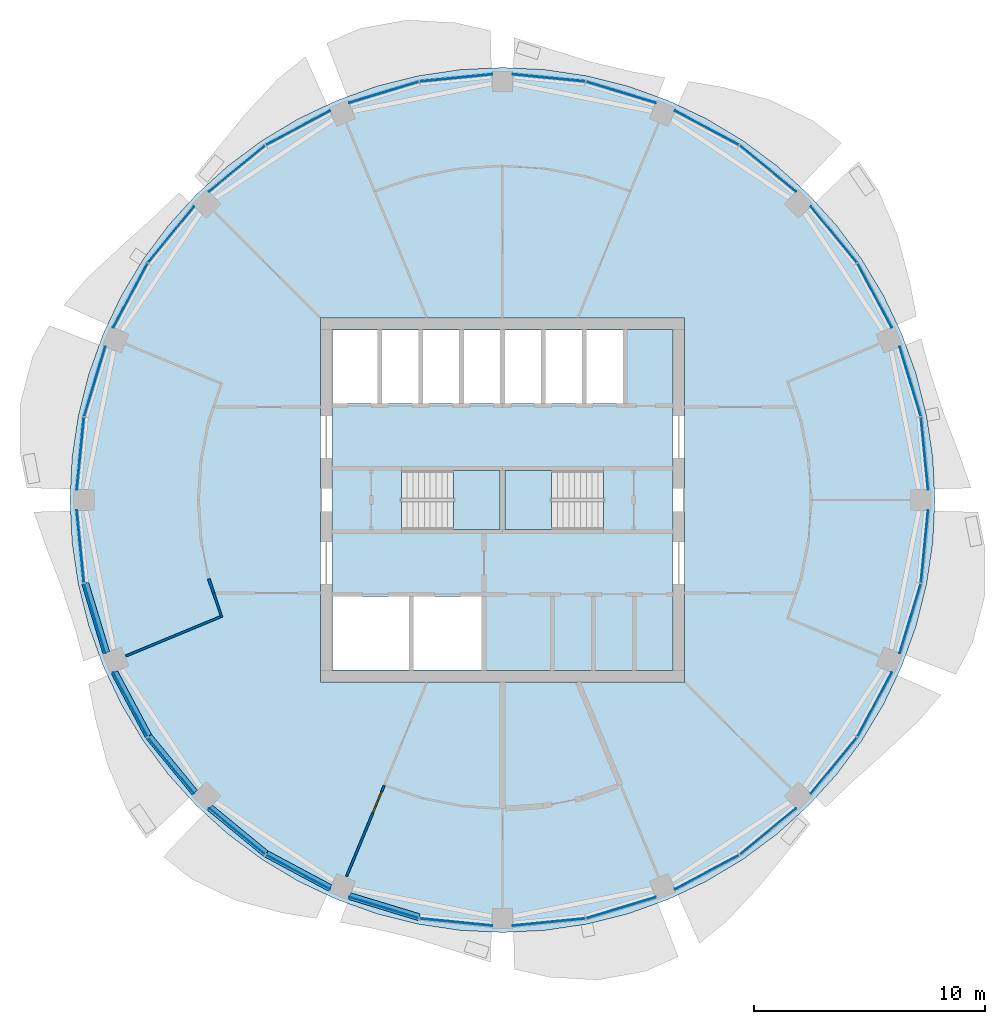
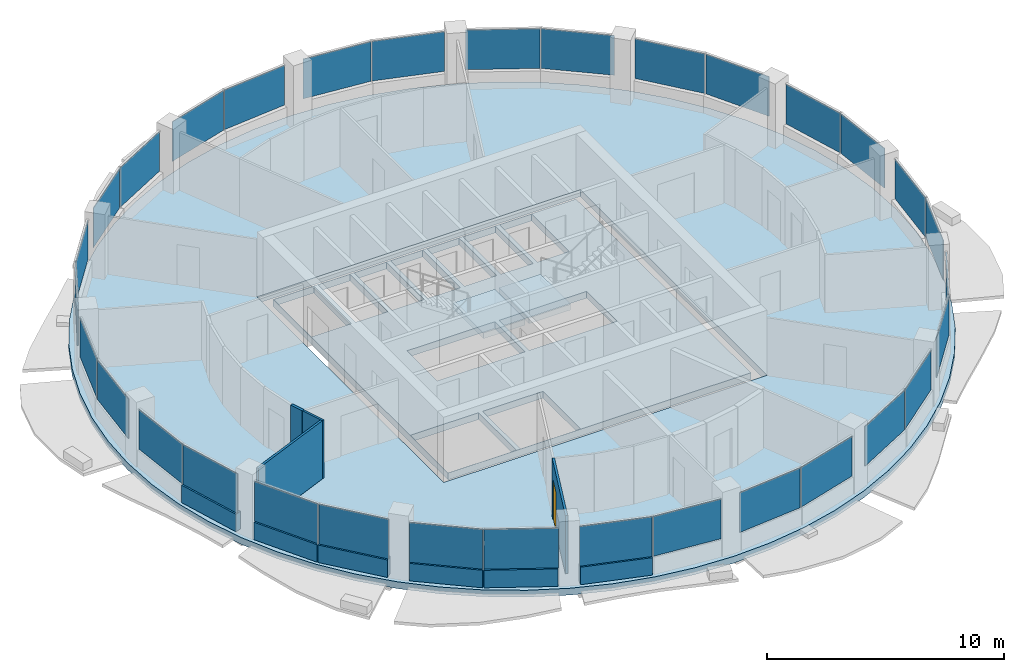
# One storey, part 7 of 15: 32 plates, 10 walls, 4 slabs, 1 door, 1 opening, 18 elements without a shape of their own.
"""IFC4 building model written with IfcOpenShell, lengths in metres."""

import ifcopenshell
import ifcopenshell.guid

model = None  # the IFC model being written
_history = None  # IfcOwnerHistory: only IFC2X3 demands one
_inside = {}  # id of a spatial element -> (the spatial element, [elements in it])
_under = {}  # id of a project, library or spatial element -> (it, [spatial elements below it])
_declared = {}  # id of a project -> (the project, [libraries it declares])
_typed = {}  # id of a type object -> (the type object, [elements of that type])
_made_of = {}  # id of a material, layer set ... -> (it, [elements and type objects made of it])


def new_model(schema):
    """Start an empty IFC model of exactly this schema.

    Asked for "IFC4X3", IfcOpenShell would pick the latest addendum, in which some entities
    have other attributes; the version numbers below select the first issue.
    IFC2X3 requires an IfcOwnerHistory on every rooted entity: one is made here for all.
    """
    global model, _history
    if schema == "IFC4X3":
        model = ifcopenshell.file(schema_version=(4, 3, 0, 0))
    else:
        model = ifcopenshell.file(schema=schema)
    _inside.clear()
    _under.clear()
    _declared.clear()
    _typed.clear()
    _made_of.clear()
    _history = None
    if model.schema == "IFC2X3":
        org = make("IfcOrganization", Name="unknown")
        user = make(
            "IfcPersonAndOrganization",
            ThePerson=make("IfcPerson", FamilyName="unknown"),
            TheOrganization=org,
        )
        app = make(
            "IfcApplication",
            ApplicationDeveloper=org,
            Version="unknown",
            ApplicationFullName="unknown",
            ApplicationIdentifier="unknown",
        )
        _history = make(
            "IfcOwnerHistory",
            OwningUser=user,
            OwningApplication=app,
            ChangeAction="ADDED",
            CreationDate=0,
        )
    return model


def make(cls, **values):
    """One entity of the class cls with the attributes given. An attribute that is None is left unset."""
    return model.create_entity(
        cls, **{name: value for name, value in values.items() if value is not None}
    )


def rooted(cls, **values):
    """An entity with a GlobalId (a new one), such as an element, a storey or a relation."""
    return make(cls, GlobalId=ifcopenshell.guid.new(), OwnerHistory=_history, **values)


def si_unit(unit_type, name, prefix=None):
    """IfcSIUnit, for example si_unit("LENGTHUNIT", "METRE", prefix="MILLI")."""
    return make("IfcSIUnit", UnitType=unit_type, Prefix=prefix, Name=name)


def assignment(units):
    """IfcUnitAssignment: the units of a project."""
    return None if units is None else make("IfcUnitAssignment", Units=units)


def point(xyz):
    """IfcCartesianPoint."""
    return None if xyz is None else make("IfcCartesianPoint", Coordinates=xyz)


def direction(xyz):
    """IfcDirection."""
    return None if xyz is None else make("IfcDirection", DirectionRatios=xyz)


def frame(location, z_axis=None, x_axis=None):
    """IfcAxis2Placement3D, a coordinate frame: its origin and axes. An axis left out is left unset."""
    return make(
        "IfcAxis2Placement3D",
        Location=point(location),
        Axis=direction(z_axis),
        RefDirection=direction(x_axis),
    )


def frame_2d(location, x_axis=None):
    """IfcAxis2Placement2D, a coordinate frame in the plane: its origin and x axis."""
    return make(
        "IfcAxis2Placement2D", Location=point(location), RefDirection=direction(x_axis)
    )


def origin():
    """The frame at (0, 0, 0) with its axes left unset."""
    return frame((0.0, 0.0, 0.0))


def origin_2d():
    """The frame at (0, 0) in the plane with its x axis left unset."""
    return frame_2d((0.0, 0.0))


def place(relative_to, where):
    """IfcLocalPlacement: puts the frame where relative to a parent placement (None: the world)."""
    return make(
        "IfcLocalPlacement", PlacementRelTo=relative_to, RelativePlacement=where
    )


def context(
    kind, dimensions, precision=None, world=None, true_north=None, identifier=None
):
    """IfcGeometricRepresentationContext, for example the 3D "Model" context."""
    return make(
        "IfcGeometricRepresentationContext",
        ContextIdentifier=identifier,
        ContextType=kind,
        CoordinateSpaceDimension=dimensions,
        Precision=precision,
        WorldCoordinateSystem=world,
        TrueNorth=true_north,
    )


def subcontext(parent, identifier, kind, view, scale=None):
    """IfcGeometricRepresentationSubContext, for example "Body" below "Model"."""
    return make(
        "IfcGeometricRepresentationSubContext",
        ContextIdentifier=identifier,
        ContextType=kind,
        ParentContext=parent,
        TargetScale=scale,
        TargetView=view,
    )


def project(units=None, contexts=None):
    """IfcProject with its units and contexts."""
    return rooted(
        "IfcProject",
        Name="project",
        RepresentationContexts=contexts,
        UnitsInContext=assignment(units),
    )


def spatial(cls, under=None, at=None, **own):
    """A site, building, storey or space (cls), placed at a placement, below another one or the project."""
    s = rooted(cls, ObjectPlacement=at, **own)
    if under is not None:
        _under.setdefault(under.id(), (under, []))[1].append(s)
    return s


def polyline(points):
    """IfcPolyline through the points."""
    return make("IfcPolyline", Points=[point(p) for p in points])


def profile(cls, at=None, kind="AREA", **sizes):
    """A parametric profile (cls). Its sizes go by their IFC names, for example OverallWidth=200.0."""
    return make(cls, ProfileType=kind, Position=at, **sizes)


def rectangle(**sizes):
    """IfcRectangleProfileDef."""
    return profile("IfcRectangleProfileDef", **sizes)


def outline(outer, holes=None, kind="AREA"):
    """IfcArbitraryClosedProfileDef: a profile drawn as a closed curve; with holes, ...WithVoids."""
    if holes is None:
        return make("IfcArbitraryClosedProfileDef", ProfileType=kind, OuterCurve=outer)
    return make(
        "IfcArbitraryProfileDefWithVoids",
        ProfileType=kind,
        OuterCurve=outer,
        InnerCurves=holes,
    )


def extrude(swept, where, along, depth):
    """IfcExtrudedAreaSolid: the profile swept, set in the frame where, extruded along a direction by depth."""
    return make(
        "IfcExtrudedAreaSolid",
        SweptArea=swept,
        Position=where,
        ExtrudedDirection=direction(along),
        Depth=depth,
    )


def shape(context_of_items, identifier, shape_type, items):
    """IfcShapeRepresentation: the items that make up one representation, for example the "Body"."""
    return make(
        "IfcShapeRepresentation",
        ContextOfItems=context_of_items,
        RepresentationIdentifier=identifier,
        RepresentationType=shape_type,
        Items=items,
    )


def material(Name=None, Category=None):
    """IfcMaterial."""
    return make("IfcMaterial", Name=Name, Category=Category)


def layer(
    of_material, thickness, ventilated=None, Name=None, Category=None, Priority=None
):
    """IfcMaterialLayer: one layer of a wall or slab, of a material (None: an air gap)."""
    return make(
        "IfcMaterialLayer",
        Material=of_material,
        LayerThickness=thickness,
        IsVentilated=ventilated,
        Name=Name,
        Category=Category,
        Priority=Priority,
    )


def layer_set(layers, Name=None):
    """IfcMaterialLayerSet."""
    return make("IfcMaterialLayerSet", MaterialLayers=layers, LayerSetName=Name)


def made_of(thing, what):
    """Note that an element or type object is made of a material, layer set ...; save() writes the relation."""
    if what is not None:
        _made_of.setdefault(what.id(), (what, []))[1].append(thing)
    return thing


def type_object(cls, material=None, **own):
    """A type object (cls), such as IfcWallType, which elements share."""
    return made_of(rooted(cls, **own), material)


def element(
    cls,
    number,
    at=None,
    inside=None,
    cuts=None,
    type_object=None,
    material=None,
    context=None,
    identifier="Body",
    shape_type=None,
    held_by="IfcProductDefinitionShape",
    body=None,
    shapes=None,
    **own,
):
    """One element of the class cls, such as IfcWall. Its Tag is "e" and its number.

    at: its placement. inside: the storey or other place that contains it. cuts: it is an
    opening in that element (IfcRelVoidsElement). A single representation is given by context,
    identifier, shape_type and body (its items); several are given by shapes. held_by: the class
    of the entity that holds the representations. save() writes the other relations.
    """
    e = rooted(cls, Tag="e%d" % number, ObjectPlacement=at, **own)
    if body is not None:
        shapes = [shape(context, identifier, shape_type, body)]
    if shapes is not None:
        e.Representation = make(held_by, Representations=shapes)
    if inside is not None:
        _inside.setdefault(inside.id(), (inside, []))[1].append(e)
    if cuts is not None:
        rooted(
            "IfcRelVoidsElement", RelatingBuildingElement=cuts, RelatedOpeningElement=e
        )
    if type_object is not None:
        _typed.setdefault(type_object.id(), (type_object, []))[1].append(e)
    return made_of(e, material)


def fill(opening, filler):
    """IfcRelFillsElement: the door or window that sits in an opening."""
    return rooted(
        "IfcRelFillsElement",
        RelatingOpeningElement=opening,
        RelatedBuildingElement=filler,
    )


def aggregate(whole, parts):
    """IfcRelAggregates: a whole, such as a stair, and the parts it consists of."""
    return rooted("IfcRelAggregates", RelatingObject=whole, RelatedObjects=parts)


def save(model, path):
    """Write the relations noted so far, then the file.

    IfcRelAggregates (storeys below a building ...), IfcRelContainedInSpatialStructure (elements
    in a storey), IfcRelDefinesByType, IfcRelAssociatesMaterial and IfcRelDeclares: one each for
    every whole, place, type object, material and project.
    """
    for whole, parts in _under.values():
        aggregate(whole, parts)
    for where, things in _inside.values():
        rooted(
            "IfcRelContainedInSpatialStructure",
            RelatedElements=things,
            RelatingStructure=where,
        )
    for kind, things in _typed.values():
        rooted("IfcRelDefinesByType", RelatedObjects=things, RelatingType=kind)
    for what, things in _made_of.values():
        rooted("IfcRelAssociatesMaterial", RelatedObjects=things, RelatingMaterial=what)
    for by, libraries in _declared.values():
        rooted("IfcRelDeclares", RelatingContext=by, RelatedDefinitions=libraries)
    model.write(path)


model = new_model("IFC4")

# Units and contexts
model_context = context("Model", 3, precision=1e-05, world=origin(), true_north=direction((0.0, 1.0)))
body_context = subcontext(model_context, "Body", "Model", "MODEL_VIEW")
ifc_project = project(units=[si_unit("LENGTHUNIT", "METRE"), si_unit("AREAUNIT", "SQUARE_METRE"), si_unit("VOLUMEUNIT", "CUBIC_METRE"), si_unit("PLANEANGLEUNIT", "RADIAN"), si_unit("MASSUNIT", "GRAM", prefix="KILO")], contexts=[model_context])

# Site, building, storey
site_placement = place(None, origin())
site = spatial("IfcSite", under=ifc_project, at=site_placement, CompositionType="ELEMENT")
building_placement = place(site_placement, origin())
building = spatial("IfcBuilding", under=site, at=building_placement, Name="Polderwave Tower", CompositionType="ELEMENT")
storey_placement = place(building_placement, frame((0.0, 0.0, 174.25)))
storey = spatial("IfcBuildingStorey", under=building, at=storey_placement, Name="L46", CompositionType="ELEMENT", Elevation=174.25)

# Slab
ifc_material_1 = material(Name="Concrete C40/50", Category="concrete")
ifc_layer_1 = layer(ifc_material_1, 0.35009765625)
ifc_layer_set_1 = layer_set([ifc_layer_1], Name="Core floor slab 350")
slab_type_1 = type_object("IfcSlabType", Name="Core floor slab 350", PredefinedType="FLOOR", material=ifc_layer_set_1)
slab_1_placement = place(storey_placement, frame((0.0, 0.0, -0.35009765625)))
element("IfcSlab", 1, at=slab_1_placement, inside=storey, type_object=slab_type_1, Name="L46 core floor", PredefinedType="FLOOR", context=body_context, shape_type="SweptSolid", body=[
    extrude(outline(polyline([(-7.3740234375, -7.3740234375), (7.3740234375, -7.3740234375), (7.3740234375, 7.3740234375), (-7.3740234375, 7.3740234375), (-7.3740234375, -7.3740234375)]), holes=[polyline([(-7.35400390625, -7.35400390625), (-4.037109375, -7.35400390625), (-4.037109375, -4.174072265625), (-7.35400390625, -4.174072265625), (-7.35400390625, -7.35400390625)]), polyline([(-3.8369140625, -7.35400390625), (-0.89990234375, -7.35400390625), (-0.89990234375, -4.174072265625), (-3.8369140625, -4.174072265625), (-3.8369140625, -7.35400390625)]), polyline([(-7.35400390625, 4.174072265625), (-5.405517578125, 4.174072265625), (-5.405517578125, 7.35400390625), (-7.35400390625, 7.35400390625), (-7.35400390625, 4.174072265625)]), polyline([(-5.20556640625, 4.174072265625), (-3.636962890625, 4.174072265625), (-3.636962890625, 7.35400390625), (-5.20556640625, 7.35400390625), (-5.20556640625, 4.174072265625)]), polyline([(-3.43701171875, 4.174072265625), (-1.868408203125, 4.174072265625), (-1.868408203125, 7.35400390625), (-3.43701171875, 7.35400390625), (-3.43701171875, 4.174072265625)]), polyline([(-1.66845703125, 4.174072265625), (-0.10009765625, 4.174072265625), (-0.10009765625, 7.35400390625), (-1.66845703125, 7.35400390625), (-1.66845703125, 4.174072265625)]), polyline([(0.10009765625, 4.174072265625), (1.66845703125, 4.174072265625), (1.66845703125, 7.35400390625), (0.10009765625, 7.35400390625), (0.10009765625, 4.174072265625)]), polyline([(1.868408203125, 4.174072265625), (3.43701171875, 4.174072265625), (3.43701171875, 7.35400390625), (1.868408203125, 7.35400390625), (1.868408203125, 4.174072265625)]), polyline([(3.636962890625, 4.174072265625), (5.20556640625, 4.174072265625), (5.20556640625, 7.35400390625), (3.636962890625, 7.35400390625), (3.636962890625, 4.174072265625)]), polyline([(-4.37353515625, -1.2744140625), (-0.1005859375, -1.2744140625), (-0.1005859375, 1.2744140625), (-4.37353515625, 1.2744140625), (-4.37353515625, -1.2744140625)]), polyline([(0.1005859375, -1.2744140625), (4.37353515625, -1.2744140625), (4.37353515625, 1.2744140625), (0.1005859375, 1.2744140625), (0.1005859375, -1.2744140625)])]), origin(), (0.0, 0.0, 1.0), 0.35009765625),
])

# Curtain wall, plates
ifc_material_2 = material(Name="Aluminium 6063-T6 and glass", Category="aluminium")
curtain_wall_type = type_object("IfcCurtainWallType", Name="Office ribbon glazing wall", PredefinedType="NOTDEFINED", material=ifc_material_2)
curtain_wall_1_placement = place(storey_placement, origin())
curtain_wall_1 = element("IfcCurtainWall", 2, at=curtain_wall_1_placement, inside=storey, type_object=curtain_wall_type, Name="CW3 L46 00", PredefinedType="NOTDEFINED")
ifc_material_3 = material(Name="Glass, low-e laminated double glazing", Category="glass")
ifc_layer_2 = layer(ifc_material_3, 0.031982421875)
ifc_layer_set_2 = layer_set([ifc_layer_2], Name="Office ribbon glazing glass panel 32 mm")
plate_type = type_object("IfcPlateType", Name="Office ribbon glazing glass panel 32 mm", PredefinedType="CURTAIN_PANEL", material=ifc_layer_set_2)
plate_1_placement = place(storey_placement, frame((18.251953125, 2.0107421875, 0.89990234375), z_axis=(0.0, 0.0, 1.0), x_axis=(-0.098282886359, 0.995158517146, 0.0)))
plate_1 = element("IfcPlate", 3, at=plate_1_placement, type_object=plate_type, Name="CW3 panel 1", PredefinedType="CURTAIN_PANEL", context=body_context, shape_type="SweptSolid", body=[
    extrude(rectangle(XDim=3.13671875, YDim=0.031982421875, at=origin_2d()), origin(), (0.0, 0.0, 1.0), 2.0400390625),
])
plate_2_placement = place(storey_placement, frame((17.632080078125, 5.126708984375, 0.89990234375), z_axis=(0.0, 0.0, 1.0), x_axis=(-0.290042492447, 0.957013768227, 0.0)))
plate_2 = element("IfcPlate", 4, at=plate_2_placement, type_object=plate_type, Name="CW3 panel 2", PredefinedType="CURTAIN_PANEL", context=body_context, shape_type="SweptSolid", body=[
    extrude(rectangle(XDim=3.1376953125, YDim=0.031982421875, at=origin_2d()), origin(), (0.0, 0.0, 1.0), 2.0400390625),
])
aggregate(curtain_wall_1, [plate_1, plate_2])

curtain_wall_2_placement = place(storey_placement, origin())
curtain_wall_2 = element("IfcCurtainWall", 5, at=curtain_wall_2_placement, inside=storey, type_object=curtain_wall_type, Name="CW3 L46 01", PredefinedType="NOTDEFINED")
plate_3_placement = place(storey_placement, frame((16.093017578125, 8.84228515625, 0.89990234375), z_axis=(0.0, 0.0, 1.0), x_axis=(-0.471195083676, 0.882029020565, 0.0)))
plate_3 = element("IfcPlate", 6, at=plate_3_placement, type_object=plate_type, Name="CW3 panel 1", PredefinedType="CURTAIN_PANEL", context=body_context, shape_type="SweptSolid", body=[
    extrude(rectangle(XDim=3.13671875, YDim=0.031982421875, at=origin_2d()), origin(), (0.0, 0.0, 1.0), 2.0400390625),
])
plate_4_placement = place(storey_placement, frame((14.328369140625, 11.484130859375, 0.89990234375), z_axis=(0.0, 0.0, 1.0), x_axis=(-0.634355506989, 0.773041454744, 0.0)))
plate_4 = element("IfcPlate", 7, at=plate_4_placement, type_object=plate_type, Name="CW3 panel 2", PredefinedType="CURTAIN_PANEL", context=body_context, shape_type="SweptSolid", body=[
    extrude(rectangle(XDim=3.137939453125, YDim=0.031982421875, at=origin_2d()), origin(), (0.0, 0.0, 1.0), 2.0400390625),
])
aggregate(curtain_wall_2, [plate_3, plate_4])

curtain_wall_3_placement = place(storey_placement, origin())
curtain_wall_3 = element("IfcCurtainWall", 8, at=curtain_wall_3_placement, inside=storey, type_object=curtain_wall_type, Name="CW3 L46 02", PredefinedType="NOTDEFINED")
plate_5_placement = place(storey_placement, frame((11.484130859375, 14.328369140625, 0.89990234375), z_axis=(0.0, 0.0, 1.0), x_axis=(-0.773041454744, 0.634355506989, 0.0)))
plate_5 = element("IfcPlate", 9, at=plate_5_placement, type_object=plate_type, Name="CW3 panel 1", PredefinedType="CURTAIN_PANEL", context=body_context, shape_type="SweptSolid", body=[
    extrude(rectangle(XDim=3.137939453125, YDim=0.031982421875, at=origin_2d()), origin(), (0.0, 0.0, 1.0), 2.0400390625),
])
plate_6_placement = place(storey_placement, frame((8.84228515625, 16.093017578125, 0.89990234375), z_axis=(0.0, 0.0, 1.0), x_axis=(-0.882029020565, 0.471195083676, 0.0)))
plate_6 = element("IfcPlate", 10, at=plate_6_placement, type_object=plate_type, Name="CW3 panel 2", PredefinedType="CURTAIN_PANEL", context=body_context, shape_type="SweptSolid", body=[
    extrude(rectangle(XDim=3.13671875, YDim=0.031982421875, at=origin_2d()), origin(), (0.0, 0.0, 1.0), 2.0400390625),
])
aggregate(curtain_wall_3, [plate_5, plate_6])

curtain_wall_4_placement = place(storey_placement, origin())
curtain_wall_4 = element("IfcCurtainWall", 11, at=curtain_wall_4_placement, inside=storey, type_object=curtain_wall_type, Name="CW3 L46 03", PredefinedType="NOTDEFINED")
plate_7_placement = place(storey_placement, frame((5.126708984375, 17.632080078125, 0.89990234375), z_axis=(0.0, 0.0, 1.0), x_axis=(-0.957013768227, 0.290042492447, 0.0)))
plate_7 = element("IfcPlate", 12, at=plate_7_placement, type_object=plate_type, Name="CW3 panel 1", PredefinedType="CURTAIN_PANEL", context=body_context, shape_type="SweptSolid", body=[
    extrude(rectangle(XDim=3.1376953125, YDim=0.031982421875, at=origin_2d()), origin(), (0.0, 0.0, 1.0), 2.0400390625),
])
plate_8_placement = place(storey_placement, frame((2.0107421875, 18.251953125, 0.89990234375), z_axis=(0.0, 0.0, 1.0), x_axis=(-0.995158517146, 0.098282886359, 0.0)))
plate_8 = element("IfcPlate", 13, at=plate_8_placement, type_object=plate_type, Name="CW3 panel 2", PredefinedType="CURTAIN_PANEL", context=body_context, shape_type="SweptSolid", body=[
    extrude(rectangle(XDim=3.13671875, YDim=0.031982421875, at=origin_2d()), origin(), (0.0, 0.0, 1.0), 2.0400390625),
])
aggregate(curtain_wall_4, [plate_7, plate_8])

curtain_wall_5_placement = place(storey_placement, origin())
curtain_wall_5 = element("IfcCurtainWall", 14, at=curtain_wall_5_placement, inside=storey, type_object=curtain_wall_type, Name="CW3 L46 04", PredefinedType="NOTDEFINED")
plate_9_placement = place(storey_placement, frame((-2.0107421875, 18.251953125, 0.89990234375), z_axis=(0.0, 0.0, 1.0), x_axis=(-0.995158517146, -0.098282886359, 0.0)))
plate_9 = element("IfcPlate", 15, at=plate_9_placement, type_object=plate_type, Name="CW3 panel 1", PredefinedType="CURTAIN_PANEL", context=body_context, shape_type="SweptSolid", body=[
    extrude(rectangle(XDim=3.13671875, YDim=0.031982421875, at=origin_2d()), origin(), (0.0, 0.0, 1.0), 2.0400390625),
])
plate_10_placement = place(storey_placement, frame((-5.126708984375, 17.632080078125, 0.89990234375), z_axis=(0.0, 0.0, 1.0), x_axis=(-0.957013768227, -0.290042492447, 0.0)))
plate_10 = element("IfcPlate", 16, at=plate_10_placement, type_object=plate_type, Name="CW3 panel 2", PredefinedType="CURTAIN_PANEL", context=body_context, shape_type="SweptSolid", body=[
    extrude(rectangle(XDim=3.1376953125, YDim=0.031982421875, at=origin_2d()), origin(), (0.0, 0.0, 1.0), 2.0400390625),
])
aggregate(curtain_wall_5, [plate_9, plate_10])

curtain_wall_6_placement = place(storey_placement, origin())
curtain_wall_6 = element("IfcCurtainWall", 17, at=curtain_wall_6_placement, inside=storey, type_object=curtain_wall_type, Name="CW3 L46 05", PredefinedType="NOTDEFINED")
plate_11_placement = place(storey_placement, frame((-8.84228515625, 16.093017578125, 0.89990234375), z_axis=(0.0, 0.0, 1.0), x_axis=(-0.882029020565, -0.471195083676, 0.0)))
plate_11 = element("IfcPlate", 18, at=plate_11_placement, type_object=plate_type, Name="CW3 panel 1", PredefinedType="CURTAIN_PANEL", context=body_context, shape_type="SweptSolid", body=[
    extrude(rectangle(XDim=3.13671875, YDim=0.031982421875, at=origin_2d()), origin(), (0.0, 0.0, 1.0), 2.0400390625),
])
plate_12_placement = place(storey_placement, frame((-11.484130859375, 14.328369140625, 0.89990234375), z_axis=(0.0, 0.0, 1.0), x_axis=(-0.773041454744, -0.634355506989, 0.0)))
plate_12 = element("IfcPlate", 19, at=plate_12_placement, type_object=plate_type, Name="CW3 panel 2", PredefinedType="CURTAIN_PANEL", context=body_context, shape_type="SweptSolid", body=[
    extrude(rectangle(XDim=3.137939453125, YDim=0.031982421875, at=origin_2d()), origin(), (0.0, 0.0, 1.0), 2.0400390625),
])
aggregate(curtain_wall_6, [plate_11, plate_12])

curtain_wall_7_placement = place(storey_placement, origin())
curtain_wall_7 = element("IfcCurtainWall", 20, at=curtain_wall_7_placement, inside=storey, type_object=curtain_wall_type, Name="CW3 L46 06", PredefinedType="NOTDEFINED")
plate_13_placement = place(storey_placement, frame((-14.328369140625, 11.484130859375, 0.89990234375), z_axis=(0.0, 0.0, 1.0), x_axis=(-0.634355506989, -0.773041454744, 0.0)))
plate_13 = element("IfcPlate", 21, at=plate_13_placement, type_object=plate_type, Name="CW3 panel 1", PredefinedType="CURTAIN_PANEL", context=body_context, shape_type="SweptSolid", body=[
    extrude(rectangle(XDim=3.137939453125, YDim=0.031982421875, at=origin_2d()), origin(), (0.0, 0.0, 1.0), 2.0400390625),
])
plate_14_placement = place(storey_placement, frame((-16.093017578125, 8.84228515625, 0.89990234375), z_axis=(0.0, 0.0, 1.0), x_axis=(-0.471195083676, -0.882029020565, 0.0)))
plate_14 = element("IfcPlate", 22, at=plate_14_placement, type_object=plate_type, Name="CW3 panel 2", PredefinedType="CURTAIN_PANEL", context=body_context, shape_type="SweptSolid", body=[
    extrude(rectangle(XDim=3.13671875, YDim=0.031982421875, at=origin_2d()), origin(), (0.0, 0.0, 1.0), 2.0400390625),
])
aggregate(curtain_wall_7, [plate_13, plate_14])

curtain_wall_8_placement = place(storey_placement, origin())
curtain_wall_8 = element("IfcCurtainWall", 23, at=curtain_wall_8_placement, inside=storey, type_object=curtain_wall_type, Name="CW3 L46 07", PredefinedType="NOTDEFINED")
plate_15_placement = place(storey_placement, frame((-17.632080078125, 5.126708984375, 0.89990234375), z_axis=(0.0, 0.0, 1.0), x_axis=(-0.290042492447, -0.957013768227, 0.0)))
plate_15 = element("IfcPlate", 24, at=plate_15_placement, type_object=plate_type, Name="CW3 panel 1", PredefinedType="CURTAIN_PANEL", context=body_context, shape_type="SweptSolid", body=[
    extrude(rectangle(XDim=3.1376953125, YDim=0.031982421875, at=origin_2d()), origin(), (0.0, 0.0, 1.0), 2.0400390625),
])
plate_16_placement = place(storey_placement, frame((-18.251953125, 2.0107421875, 0.89990234375), z_axis=(0.0, 0.0, 1.0), x_axis=(-0.098282886359, -0.995158517146, 0.0)))
plate_16 = element("IfcPlate", 25, at=plate_16_placement, type_object=plate_type, Name="CW3 panel 2", PredefinedType="CURTAIN_PANEL", context=body_context, shape_type="SweptSolid", body=[
    extrude(rectangle(XDim=3.13671875, YDim=0.031982421875, at=origin_2d()), origin(), (0.0, 0.0, 1.0), 2.0400390625),
])
aggregate(curtain_wall_8, [plate_15, plate_16])

curtain_wall_9_placement = place(storey_placement, origin())
curtain_wall_9 = element("IfcCurtainWall", 26, at=curtain_wall_9_placement, inside=storey, type_object=curtain_wall_type, Name="CW3 L46 08", PredefinedType="NOTDEFINED")
plate_17_placement = place(storey_placement, frame((-18.251953125, -2.0107421875, 0.89990234375), z_axis=(0.0, 0.0, 1.0), x_axis=(0.098282886359, -0.995158517146, 0.0)))
plate_17 = element("IfcPlate", 27, at=plate_17_placement, type_object=plate_type, Name="CW3 panel 1", PredefinedType="CURTAIN_PANEL", context=body_context, shape_type="SweptSolid", body=[
    extrude(rectangle(XDim=3.13671875, YDim=0.031982421875, at=origin_2d()), origin(), (0.0, 0.0, 1.0), 2.0400390625),
])
plate_18_placement = place(storey_placement, frame((-17.632080078125, -5.126708984375, 0.89990234375), z_axis=(0.0, 0.0, 1.0), x_axis=(0.290042492447, -0.957013768227, 0.0)))
plate_18 = element("IfcPlate", 28, at=plate_18_placement, type_object=plate_type, Name="CW3 panel 2", PredefinedType="CURTAIN_PANEL", context=body_context, shape_type="SweptSolid", body=[
    extrude(rectangle(XDim=3.1376953125, YDim=0.031982421875, at=origin_2d()), origin(), (0.0, 0.0, 1.0), 2.0400390625),
])
aggregate(curtain_wall_9, [plate_17, plate_18])

curtain_wall_10_placement = place(storey_placement, origin())
curtain_wall_10 = element("IfcCurtainWall", 29, at=curtain_wall_10_placement, inside=storey, type_object=curtain_wall_type, Name="CW3 L46 09", PredefinedType="NOTDEFINED")
plate_19_placement = place(storey_placement, frame((-16.093017578125, -8.84228515625, 0.89990234375), z_axis=(0.0, 0.0, 1.0), x_axis=(0.471195083676, -0.882029020565, 0.0)))
plate_19 = element("IfcPlate", 30, at=plate_19_placement, type_object=plate_type, Name="CW3 panel 1", PredefinedType="CURTAIN_PANEL", context=body_context, shape_type="SweptSolid", body=[
    extrude(rectangle(XDim=3.13671875, YDim=0.031982421875, at=origin_2d()), origin(), (0.0, 0.0, 1.0), 2.0400390625),
])
plate_20_placement = place(storey_placement, frame((-14.328369140625, -11.484130859375, 0.89990234375), z_axis=(0.0, 0.0, 1.0), x_axis=(0.634355506989, -0.773041454744, 0.0)))
plate_20 = element("IfcPlate", 31, at=plate_20_placement, type_object=plate_type, Name="CW3 panel 2", PredefinedType="CURTAIN_PANEL", context=body_context, shape_type="SweptSolid", body=[
    extrude(rectangle(XDim=3.137939453125, YDim=0.031982421875, at=origin_2d()), origin(), (0.0, 0.0, 1.0), 2.0400390625),
])
aggregate(curtain_wall_10, [plate_19, plate_20])

curtain_wall_11_placement = place(storey_placement, origin())
curtain_wall_11 = element("IfcCurtainWall", 32, at=curtain_wall_11_placement, inside=storey, type_object=curtain_wall_type, Name="CW3 L46 10", PredefinedType="NOTDEFINED")
plate_21_placement = place(storey_placement, frame((-11.484130859375, -14.328369140625, 0.89990234375), z_axis=(0.0, 0.0, 1.0), x_axis=(0.773041454744, -0.634355506989, 0.0)))
plate_21 = element("IfcPlate", 33, at=plate_21_placement, type_object=plate_type, Name="CW3 panel 1", PredefinedType="CURTAIN_PANEL", context=body_context, shape_type="SweptSolid", body=[
    extrude(rectangle(XDim=3.137939453125, YDim=0.031982421875, at=origin_2d()), origin(), (0.0, 0.0, 1.0), 2.0400390625),
])
plate_22_placement = place(storey_placement, frame((-8.84228515625, -16.093017578125, 0.89990234375), z_axis=(0.0, 0.0, 1.0), x_axis=(0.882029020565, -0.471195083676, 0.0)))
plate_22 = element("IfcPlate", 34, at=plate_22_placement, type_object=plate_type, Name="CW3 panel 2", PredefinedType="CURTAIN_PANEL", context=body_context, shape_type="SweptSolid", body=[
    extrude(rectangle(XDim=3.13671875, YDim=0.031982421875, at=origin_2d()), origin(), (0.0, 0.0, 1.0), 2.0400390625),
])
aggregate(curtain_wall_11, [plate_21, plate_22])

curtain_wall_12_placement = place(storey_placement, origin())
curtain_wall_12 = element("IfcCurtainWall", 35, at=curtain_wall_12_placement, inside=storey, type_object=curtain_wall_type, Name="CW3 L46 11", PredefinedType="NOTDEFINED")
plate_23_placement = place(storey_placement, frame((-5.126708984375, -17.632080078125, 0.89990234375), z_axis=(0.0, 0.0, 1.0), x_axis=(0.957013768227, -0.290042492447, 0.0)))
plate_23 = element("IfcPlate", 36, at=plate_23_placement, type_object=plate_type, Name="CW3 panel 1", PredefinedType="CURTAIN_PANEL", context=body_context, shape_type="SweptSolid", body=[
    extrude(rectangle(XDim=3.1376953125, YDim=0.031982421875, at=origin_2d()), origin(), (0.0, 0.0, 1.0), 2.0400390625),
])
plate_24_placement = place(storey_placement, frame((-2.0107421875, -18.251953125, 0.89990234375), z_axis=(0.0, 0.0, 1.0), x_axis=(0.995158517146, -0.098282886359, 0.0)))
plate_24 = element("IfcPlate", 37, at=plate_24_placement, type_object=plate_type, Name="CW3 panel 2", PredefinedType="CURTAIN_PANEL", context=body_context, shape_type="SweptSolid", body=[
    extrude(rectangle(XDim=3.13671875, YDim=0.031982421875, at=origin_2d()), origin(), (0.0, 0.0, 1.0), 2.0400390625),
])
aggregate(curtain_wall_12, [plate_23, plate_24])

curtain_wall_13_placement = place(storey_placement, origin())
curtain_wall_13 = element("IfcCurtainWall", 38, at=curtain_wall_13_placement, inside=storey, type_object=curtain_wall_type, Name="CW3 L46 12", PredefinedType="NOTDEFINED")
plate_25_placement = place(storey_placement, frame((2.0107421875, -18.251953125, 0.89990234375), z_axis=(0.0, 0.0, 1.0), x_axis=(0.995158517146, 0.098282886359, 0.0)))
plate_25 = element("IfcPlate", 39, at=plate_25_placement, type_object=plate_type, Name="CW3 panel 1", PredefinedType="CURTAIN_PANEL", context=body_context, shape_type="SweptSolid", body=[
    extrude(rectangle(XDim=3.13671875, YDim=0.031982421875, at=origin_2d()), origin(), (0.0, 0.0, 1.0), 2.0400390625),
])
plate_26_placement = place(storey_placement, frame((5.126708984375, -17.632080078125, 0.89990234375), z_axis=(0.0, 0.0, 1.0), x_axis=(0.957013768227, 0.290042492447, 0.0)))
plate_26 = element("IfcPlate", 40, at=plate_26_placement, type_object=plate_type, Name="CW3 panel 2", PredefinedType="CURTAIN_PANEL", context=body_context, shape_type="SweptSolid", body=[
    extrude(rectangle(XDim=3.1376953125, YDim=0.031982421875, at=origin_2d()), origin(), (0.0, 0.0, 1.0), 2.0400390625),
])
aggregate(curtain_wall_13, [plate_25, plate_26])

curtain_wall_14_placement = place(storey_placement, origin())
curtain_wall_14 = element("IfcCurtainWall", 41, at=curtain_wall_14_placement, inside=storey, type_object=curtain_wall_type, Name="CW3 L46 13", PredefinedType="NOTDEFINED")
plate_27_placement = place(storey_placement, frame((8.84228515625, -16.093017578125, 0.89990234375), z_axis=(0.0, 0.0, 1.0), x_axis=(0.882029020565, 0.471195083676, 0.0)))
plate_27 = element("IfcPlate", 42, at=plate_27_placement, type_object=plate_type, Name="CW3 panel 1", PredefinedType="CURTAIN_PANEL", context=body_context, shape_type="SweptSolid", body=[
    extrude(rectangle(XDim=3.13671875, YDim=0.031982421875, at=origin_2d()), origin(), (0.0, 0.0, 1.0), 2.0400390625),
])
plate_28_placement = place(storey_placement, frame((11.484130859375, -14.328369140625, 0.89990234375), z_axis=(0.0, 0.0, 1.0), x_axis=(0.773041454744, 0.634355506989, 0.0)))
plate_28 = element("IfcPlate", 43, at=plate_28_placement, type_object=plate_type, Name="CW3 panel 2", PredefinedType="CURTAIN_PANEL", context=body_context, shape_type="SweptSolid", body=[
    extrude(rectangle(XDim=3.137939453125, YDim=0.031982421875, at=origin_2d()), origin(), (0.0, 0.0, 1.0), 2.0400390625),
])
aggregate(curtain_wall_14, [plate_27, plate_28])

curtain_wall_15_placement = place(storey_placement, origin())
curtain_wall_15 = element("IfcCurtainWall", 44, at=curtain_wall_15_placement, inside=storey, type_object=curtain_wall_type, Name="CW3 L46 14", PredefinedType="NOTDEFINED")
plate_29_placement = place(storey_placement, frame((14.328369140625, -11.484130859375, 0.89990234375), z_axis=(0.0, 0.0, 1.0), x_axis=(0.634355506989, 0.773041454744, 0.0)))
plate_29 = element("IfcPlate", 45, at=plate_29_placement, type_object=plate_type, Name="CW3 panel 1", PredefinedType="CURTAIN_PANEL", context=body_context, shape_type="SweptSolid", body=[
    extrude(rectangle(XDim=3.137939453125, YDim=0.031982421875, at=origin_2d()), origin(), (0.0, 0.0, 1.0), 2.0400390625),
])
plate_30_placement = place(storey_placement, frame((16.093017578125, -8.84228515625, 0.89990234375), z_axis=(0.0, 0.0, 1.0), x_axis=(0.471195083676, 0.882029020565, 0.0)))
plate_30 = element("IfcPlate", 46, at=plate_30_placement, type_object=plate_type, Name="CW3 panel 2", PredefinedType="CURTAIN_PANEL", context=body_context, shape_type="SweptSolid", body=[
    extrude(rectangle(XDim=3.13671875, YDim=0.031982421875, at=origin_2d()), origin(), (0.0, 0.0, 1.0), 2.0400390625),
])
aggregate(curtain_wall_15, [plate_29, plate_30])

curtain_wall_16_placement = place(storey_placement, origin())
curtain_wall_16 = element("IfcCurtainWall", 47, at=curtain_wall_16_placement, inside=storey, type_object=curtain_wall_type, Name="CW3 L46 15", PredefinedType="NOTDEFINED")
plate_31_placement = place(storey_placement, frame((17.632080078125, -5.126708984375, 0.89990234375), z_axis=(0.0, 0.0, 1.0), x_axis=(0.290042492447, 0.957013768227, 0.0)))
plate_31 = element("IfcPlate", 48, at=plate_31_placement, type_object=plate_type, Name="CW3 panel 1", PredefinedType="CURTAIN_PANEL", context=body_context, shape_type="SweptSolid", body=[
    extrude(rectangle(XDim=3.1376953125, YDim=0.031982421875, at=origin_2d()), origin(), (0.0, 0.0, 1.0), 2.0400390625),
])
plate_32_placement = place(storey_placement, frame((18.251953125, -2.0107421875, 0.89990234375), z_axis=(0.0, 0.0, 1.0), x_axis=(0.098282886359, 0.995158517146, 0.0)))
plate_32 = element("IfcPlate", 49, at=plate_32_placement, type_object=plate_type, Name="CW3 panel 2", PredefinedType="CURTAIN_PANEL", context=body_context, shape_type="SweptSolid", body=[
    extrude(rectangle(XDim=3.13671875, YDim=0.031982421875, at=origin_2d()), origin(), (0.0, 0.0, 1.0), 2.0400390625),
])
aggregate(curtain_wall_16, [plate_31, plate_32])

# Slab
ifc_layer_3 = layer(ifc_material_1, 0.35009765625)
ifc_layer_set_3 = layer_set([ifc_layer_3], Name="PT FLOOR SLAB 350 C40/50")
slab_type_2 = type_object("IfcSlabType", Name="PT FLOOR SLAB 350 C40/50", PredefinedType="FLOOR", material=ifc_layer_set_3)
slab_2_placement = place(storey_placement, frame((0.0, 0.0, -0.35009765625)))
element("IfcSlab", 50, at=slab_2_placement, inside=storey, type_object=slab_type_2, Name="ST-SLAB-L46", PredefinedType="FLOOR", context=body_context, shape_type="SweptSolid", body=[
    extrude(outline(polyline([(18.699951171875, 0.0), (18.610107421875, 1.8330078125), (18.3408203125, 3.648193359375), (17.894775390625, 5.42822265625), (17.276611328125, 7.15625), (16.491943359375, 8.815185546875), (15.548583984375, 10.38916015625), (14.455322265625, 11.86328125), (13.222900390625, 13.222900390625), (11.86328125, 14.455322265625), (10.38916015625, 15.548583984375), (8.815185546875, 16.491943359375), (7.15625, 17.276611328125), (5.42822265625, 17.894775390625), (3.648193359375, 18.3408203125), (1.8330078125, 18.610107421875), (0.0, 18.699951171875), (-1.8330078125, 18.610107421875), (-3.648193359375, 18.3408203125), (-5.42822265625, 17.894775390625), (-7.15625, 17.276611328125), (-8.815185546875, 16.491943359375), (-10.38916015625, 15.548583984375), (-11.86328125, 14.455322265625), (-13.222900390625, 13.222900390625), (-14.455322265625, 11.86328125), (-15.548583984375, 10.38916015625), (-16.491943359375, 8.815185546875), (-17.276611328125, 7.15625), (-17.894775390625, 5.42822265625), (-18.3408203125, 3.648193359375), (-18.610107421875, 1.8330078125), (-18.699951171875, 0.0), (-18.610107421875, -1.8330078125), (-18.3408203125, -3.648193359375), (-17.894775390625, -5.42822265625), (-17.276611328125, -7.15625), (-16.491943359375, -8.815185546875), (-15.548583984375, -10.38916015625), (-14.455322265625, -11.86328125), (-13.222900390625, -13.222900390625), (-11.86328125, -14.455322265625), (-10.38916015625, -15.548583984375), (-8.815185546875, -16.491943359375), (-7.15625, -17.276611328125), (-5.42822265625, -17.894775390625), (-3.648193359375, -18.3408203125), (-1.8330078125, -18.610107421875), (0.0, -18.699951171875), (1.8330078125, -18.610107421875), (3.648193359375, -18.3408203125), (5.42822265625, -17.894775390625), (7.15625, -17.276611328125), (8.815185546875, -16.491943359375), (10.38916015625, -15.548583984375), (11.86328125, -14.455322265625), (13.222900390625, -13.222900390625), (14.455322265625, -11.86328125), (15.548583984375, -10.38916015625), (16.491943359375, -8.815185546875), (17.276611328125, -7.15625), (17.894775390625, -5.42822265625), (18.3408203125, -3.648193359375), (18.610107421875, -1.8330078125), (18.699951171875, 0.0)]), holes=[polyline([(-7.8740234375, -7.8740234375), (7.8740234375, -7.8740234375), (7.8740234375, 7.8740234375), (-7.8740234375, 7.8740234375), (-7.8740234375, -7.8740234375)])]), origin(), (0.0, 0.0, 1.0), 0.35009765625),
])

# Stair, slab
stair_type = type_object("IfcStairType", Name="Exit stair 1200 x 20 risers", PredefinedType="HALF_TURN_STAIR", material=ifc_material_1)
stair_1_placement = place(storey_placement, origin())
stair_1 = element("IfcStair", 51, at=stair_1_placement, inside=storey, type_object=stair_type, Name="L46 Exit stair A", PredefinedType="HALF_TURN_STAIR")
ifc_layer_4 = layer(ifc_material_1, 0.300048828125)
ifc_layer_set_4 = layer_set([ifc_layer_4], Name="Stair landing 300")
slab_type_3 = type_object("IfcSlabType", Name="Stair landing 300", PredefinedType="LANDING", material=ifc_layer_set_4)
slab_3_placement = place(storey_placement, frame((0.0, 0.0, 1.375)))
slab_3 = element("IfcSlab", 52, at=slab_3_placement, type_object=slab_type_3, Name="ST-A landing 1", PredefinedType="LANDING", context=body_context, shape_type="SweptSolid", body=[
    extrude(outline(polyline([(-2.1240234375, -1.27490234375), (-0.10009765625, -1.27490234375), (-0.10009765625, 1.27490234375), (-2.1240234375, 1.27490234375), (-2.1240234375, -1.27490234375)])), origin(), (0.0, 0.0, 1.0), 0.300048828125),
])
aggregate(stair_1, [slab_3])

stair_2_placement = place(storey_placement, origin())
stair_2 = element("IfcStair", 53, at=stair_2_placement, inside=storey, type_object=stair_type, Name="L46 Exit stair B", PredefinedType="HALF_TURN_STAIR")
slab_4_placement = place(storey_placement, frame((0.0, 0.0, 1.375)))
slab_4 = element("IfcSlab", 54, at=slab_4_placement, type_object=slab_type_3, Name="ST-B landing 1", PredefinedType="LANDING", context=body_context, shape_type="SweptSolid", body=[
    extrude(outline(polyline([(2.1240234375, 1.27490234375), (0.10009765625, 1.27490234375), (0.10009765625, -1.27490234375), (2.1240234375, -1.27490234375), (2.1240234375, 1.27490234375)])), origin(), (0.0, 0.0, 1.0), 0.300048828125),
])
aggregate(stair_2, [slab_4])

# Walls
ifc_material_4 = material(Name="Concrete C50/60 (board-marked)", Category="concrete")
ifc_layer_5 = layer(ifc_material_4, 0.300048828125)
ifc_layer_set_5 = layer_set([ifc_layer_5], Name="Concrete spandrel upstand C50/60")
wall_type_1 = type_object("IfcWallType", Name="Concrete spandrel upstand C50/60", PredefinedType="SOLIDWALL", material=ifc_layer_set_5)
wall_1_placement = place(storey_placement, frame((-18.04150390625, -3.603515625, 0.0), z_axis=(0.0, 0.0, 1.0), x_axis=(0.290083245834, -0.957001416136, 0.0)))
element("IfcWall", 55, at=wall_1_placement, inside=storey, type_object=wall_type_1, Name="Spandrel L46 9b", PredefinedType="SOLIDWALL", context=body_context, shape_type="SweptSolid", body=[
    extrude(rectangle(XDim=3.126708984375, YDim=0.300048828125, at=frame_2d((1.5634765625, 0.0))), origin(), (0.0, 0.0, 1.0), 0.89990234375),
])
wall_2_placement = place(storey_placement, frame((-16.77880859375, -7.4521484375, 0.0), z_axis=(0.0, 0.0, 1.0), x_axis=(0.47120441036, -0.882024038027, 0.0)))
element("IfcWall", 56, at=wall_2_placement, inside=storey, type_object=wall_type_1, Name="Spandrel L46 10a", PredefinedType="SOLIDWALL", context=body_context, shape_type="SweptSolid", body=[
    extrude(rectangle(XDim=3.125244140625, YDim=0.300048828125, at=frame_2d((1.5625, 0.0))), origin(), (0.0, 0.0, 1.0), 0.89990234375),
])
for number, where, z_axis, x_axis, name in (
    (57, (-15.28955078125, -10.233642578125, 0.0), (0.0, 0.0, 1.0), (0.634198158195, -0.773170547901, 0.0), "Spandrel L46 10b"),
    (58, (-12.6513671875, -13.306396484375, 0.0), (0.0, 0.0, 1.0), (0.773170547901, -0.634198158195, 0.0), "Spandrel L46 11a"),
):
    element("IfcWall", number, at=place(storey_placement, frame(where, z_axis=z_axis, x_axis=x_axis)), inside=storey, type_object=wall_type_1, Name=name, PredefinedType="SOLIDWALL", context=body_context, shape_type="SweptSolid", body=[
        extrude(rectangle(XDim=3.126953125, YDim=0.300048828125, at=frame_2d((1.5634765625, 0.0))), origin(), (0.0, 0.0, 1.0), 0.89990234375),
    ])
wall_3_placement = place(storey_placement, frame((-10.208740234375, -15.30615234375, 0.0), z_axis=(0.0, 0.0, 1.0), x_axis=(0.882024038027, -0.47120441036, 0.0)))
element("IfcWall", 59, at=wall_3_placement, inside=storey, type_object=wall_type_1, Name="Spandrel L46 11b", PredefinedType="SOLIDWALL", context=body_context, shape_type="SweptSolid", body=[
    extrude(rectangle(XDim=3.125244140625, YDim=0.300048828125, at=frame_2d((1.5625, 0.0))), origin(), (0.0, 0.0, 1.0), 0.89990234375),
])
wall_4_placement = place(storey_placement, frame((-6.595703125, -17.134521484375, 0.0), z_axis=(0.0, 0.0, 1.0), x_axis=(0.957001416136, -0.290083245834, 0.0)))
element("IfcWall", 60, at=wall_4_placement, inside=storey, type_object=wall_type_1, Name="Spandrel L46 12a", PredefinedType="SOLIDWALL", context=body_context, shape_type="SweptSolid", body=[
    extrude(rectangle(XDim=3.126708984375, YDim=0.300048828125, at=frame_2d((1.5634765625, 0.0))), origin(), (0.0, 0.0, 1.0), 0.89990234375),
])
ifc_material_5 = material(Name="Fire-resisting board on steel studs", Category="steel")
ifc_layer_6 = layer(ifc_material_5, 0.125)
ifc_layer_set_6 = layer_set([ifc_layer_6], Name="Corridor wall 125 mm EI 60")
wall_type_2 = type_object("IfcWallType", Name="Corridor wall 125 mm EI 60", PredefinedType="PARTITIONING", material=ifc_layer_set_6)
wall_5_placement = place(storey_placement, frame((-12.4912109375, -4.0244140625, 0.0), z_axis=(0.0, 0.0, 1.0), x_axis=(-0.321506357846, 0.946907419902, 0.0)))
element("IfcWall", 61, at=wall_5_placement, inside=storey, type_object=wall_type_2, Name="IN-L46-W015", PredefinedType="PARTITIONING", context=body_context, shape_type="SweptSolid", body=[
    extrude(rectangle(XDim=0.651611328125, YDim=0.125, at=frame_2d((0.32568359375, 0.0))), origin(), (0.0, 0.0, 1.0), 3.0),
])
ifc_material_6 = material(Name="Moisture-resistant board on steel studs, tiled", Category="steel")
ifc_layer_7 = layer(ifc_material_6, 0.10498046875)
ifc_layer_set_7 = layer_set([ifc_layer_7], Name="Partition 105 mm wet room board and tile")
wall_type_3 = type_object("IfcWallType", Name="Partition 105 mm wet room board and tile", PredefinedType="PARTITIONING", material=ifc_layer_set_7)
wall_6_placement = place(storey_placement, frame((-12.4912109375, -4.0244140625, 0.0), z_axis=(0.0, 0.0, 1.0), x_axis=(0.321534356008, -0.946897913139, 0.0)))
element("IfcWall", 62, at=wall_6_placement, inside=storey, type_object=wall_type_3, Name="IN-L46-W034", PredefinedType="PARTITIONING", context=body_context, shape_type="SweptSolid", body=[
    extrude(rectangle(XDim=1.116943359375, YDim=0.10498046875, at=frame_2d((0.55859375, 0.0))), origin(), (0.0, 0.0, 1.0), 3.0),
])
wall_7_placement = place(storey_placement, frame((-12.20068359375, -5.0537109375, 0.0), z_axis=(0.0, 0.0, 1.0), x_axis=(-0.923879989031, -0.382682330227, 0.0)))
element("IfcWall", 63, at=wall_7_placement, inside=storey, type_object=wall_type_3, Name="IN-L46-W035", PredefinedType="PARTITIONING", context=body_context, shape_type="SweptSolid", body=[
    extrude(rectangle(XDim=4.4140625, YDim=0.10498046875, at=frame_2d((2.20703125, 0.0))), origin(), (0.0, 0.0, 1.0), 3.0),
])

# Wall, opening, door
wall_8_placement = place(storey_placement, frame((-5.10888671875, -12.333740234375, 0.0), z_axis=(0.0, 0.0, 1.0), x_axis=(-0.382669916503, -0.923885130849, 0.0)))
wall_8 = element("IfcWall", 64, at=wall_8_placement, inside=storey, type_object=wall_type_3, Name="IN-L46-W037", PredefinedType="PARTITIONING", context=body_context, shape_type="SweptSolid", body=[
    extrude(rectangle(XDim=4.27001953125, YDim=0.10498046875, at=frame_2d((2.135009765625, 0.0))), origin(), (0.0, 0.0, 1.0), 3.0),
])
opening_placement = place(wall_8_placement, frame((0.300048828125, 0.0, 0.0)))
opening = element("IfcOpeningElement", 65, at=opening_placement, cuts=wall_8, Name="Opening L46-D62", PredefinedType="OPENING", context=body_context, shape_type="SweptSolid", body=[
    extrude(rectangle(XDim=1.0, YDim=2.10009765625, at=frame_2d((0.5, 1.050048828125))), frame((0.0, 0.0625, 0.0), z_axis=(0.0, -1.0, 0.0), x_axis=(1.0, 0.0, 0.0)), (0.0, 0.0, 1.0), 0.125),
])
ifc_material_7 = material(Name="Timber veneer door leaf", Category="wood")
door_type = type_object("IfcDoorType", Name="Single door 1000 x 2100", OperationType="NOTDEFINED", PredefinedType="DOOR", material=ifc_material_7)
door_placement = place(opening_placement, origin())
door = element("IfcDoor", 66, at=door_placement, inside=storey, type_object=door_type, Name="Door L46-D62", OperationType="SINGLE_SWING_LEFT", OverallHeight=2.10009765625, OverallWidth=1.0, PredefinedType="DOOR", context=body_context, shape_type="SweptSolid", body=[
    extrude(rectangle(XDim=1.0, YDim=2.10009765625, at=frame_2d((0.5, 1.050048828125))), frame((0.0, 0.02490234375, 0.0), z_axis=(0.0, -1.0, 0.0), x_axis=(1.0, 0.0, 0.0)), (0.0, 0.0, 1.0), 0.050048828125),
])
fill(opening, door)

save(model, "model.ifc")
